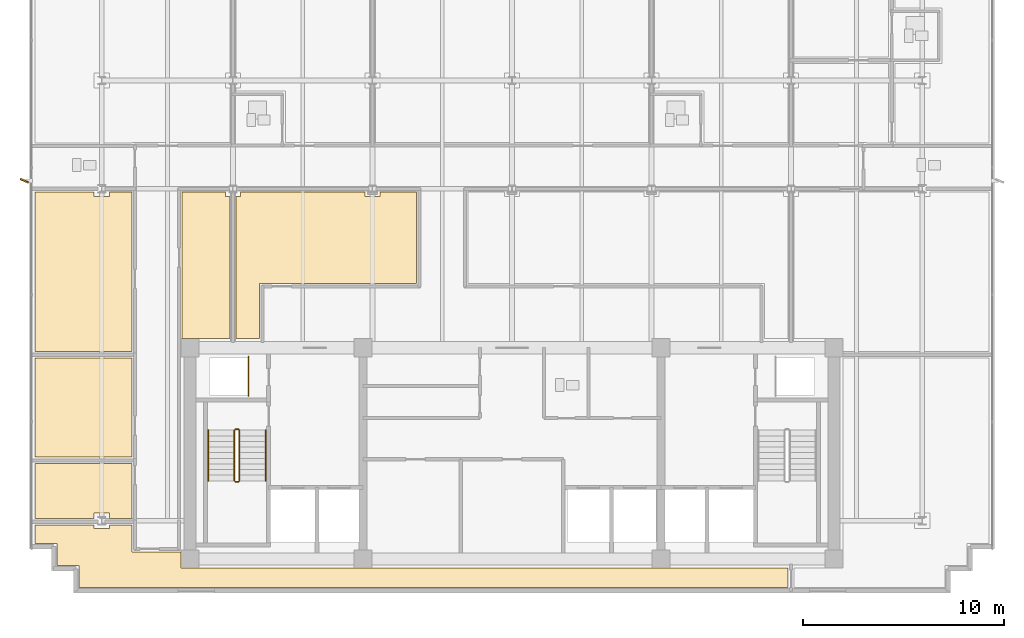
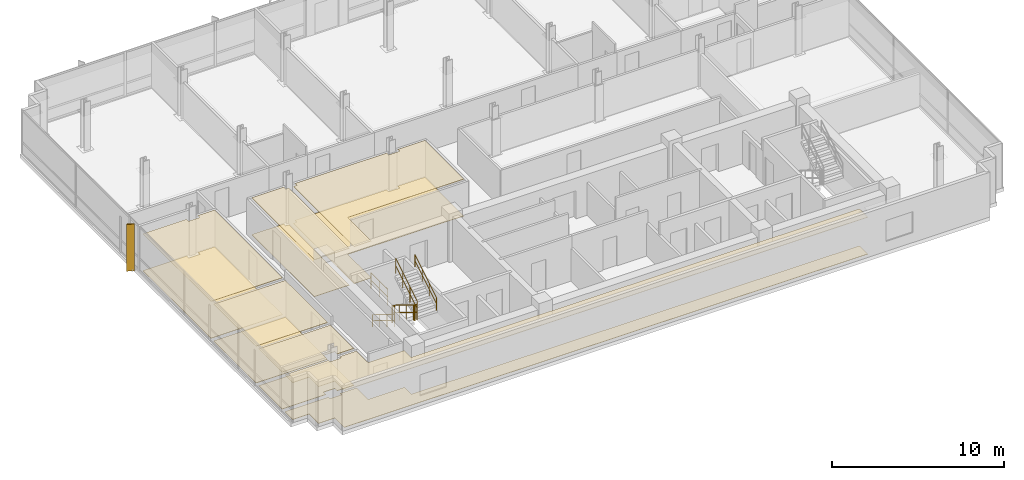
# One storey, part 15 of 19: 12 coverings, 7 railings, 1 shading device.
"""IFC4 building model written with IfcOpenShell, lengths in metres."""

from ifc_helpers import new_model, si_unit, direction, frame, origin, origin_2d, place, context, subcontext, project, spatial, polyline, rectangle, circle, outline, extrude, material, layer, layer_set, type_object, element, save


model = new_model("IFC4")

# Units and contexts
model_context = context("Model", 3, precision=1e-05, world=origin(), true_north=direction((0.0, 1.0)))
body_context = subcontext(model_context, "Body", "Model", "MODEL_VIEW")
ifc_project = project(units=[si_unit("LENGTHUNIT", "METRE"), si_unit("AREAUNIT", "SQUARE_METRE"), si_unit("VOLUMEUNIT", "CUBIC_METRE"), si_unit("PLANEANGLEUNIT", "RADIAN"), si_unit("MASSUNIT", "GRAM", prefix="KILO")], contexts=[model_context])

# Site, building, storey
site_placement = place(None, origin())
site = spatial("IfcSite", under=ifc_project, at=site_placement, CompositionType="ELEMENT")
building_placement = place(site_placement, origin())
building = spatial("IfcBuilding", under=site, at=building_placement, Name="Solmavex Isthmus Hotel", CompositionType="ELEMENT")
storey_placement = place(building_placement, frame((0.0, 0.0, 262.64990234375)))
storey = spatial("IfcBuildingStorey", under=building, at=storey_placement, Name="L71", CompositionType="ELEMENT", Elevation=262.64990234375)

# Coverings
ifc_material_1 = material(Name="Gypsum plasterboard lining", Category="gypsum")
ifc_layer_1 = layer(ifc_material_1, 0.030029296875)
ifc_layer_set_1 = layer_set([ifc_layer_1], Name="Gypsum plasterboard lining")
covering_type_1 = type_object("IfcCoveringType", Name="COV-CEIL-GYP", PredefinedType="CEILING", material=ifc_layer_set_1)
covering_1_placement = place(storey_placement, frame((0.0, 0.0, 2.6201171875)))
element("IfcCovering", 1, at=covering_1_placement, inside=storey, type_object=covering_type_1, Name="Suspended Acoustic Ceiling L71-FL08", PredefinedType="CEILING", context=body_context, shape_type="SweptSolid", body=[
    extrude(outline(polyline([(-20.780029296875, -10.9951171875), (-20.780029296875, -10.719970703125), (-20.02001953125, -10.719970703125), (-20.02001953125, -10.9951171875), (-18.905029296875, -10.9951171875), (-18.905029296875, -8.2548828125), (-23.72509765625, -8.2548828125), (-23.72509765625, -10.9951171875), (-20.780029296875, -10.9951171875)])), origin(), (0.0, 0.0, 1.0), 0.030029296875),
])
covering_2_placement = place(storey_placement, frame((0.0, 0.0, 2.6201171875)))
element("IfcCovering", 2, at=covering_2_placement, inside=storey, type_object=covering_type_1, Name="Suspended Acoustic Ceiling L71-FL09", PredefinedType="CEILING", context=body_context, shape_type="SweptSolid", body=[
    extrude(outline(polyline([(-16.39501953125, -2.044921875), (-14.027099609375, -2.044921875), (-14.027099609375, 5.02001953125), (-14.251953125, 5.02001953125), (-14.251953125, 5.2451171875), (-16.39501953125, 5.2451171875), (-16.39501953125, -2.044921875)])), origin(), (0.0, 0.0, 1.0), 0.030029296875),
])
covering_3_placement = place(storey_placement, frame((0.0, 0.0, 2.6201171875)))
element("IfcCovering", 3, at=covering_3_placement, inside=storey, type_object=covering_type_1, Name="Suspended Acoustic Ceiling L71-FL10", PredefinedType="CEILING", context=body_context, shape_type="SweptSolid", body=[
    extrude(outline(polyline([(-23.72509765625, -7.945068359375), (-18.905029296875, -7.945068359375), (-18.905029296875, -3.0048828125), (-23.72509765625, -3.0048828125), (-23.72509765625, -7.945068359375)])), origin(), (0.0, 0.0, 1.0), 0.030029296875),
])
covering_4_placement = place(storey_placement, frame((0.0, 0.0, 2.6201171875)))
element("IfcCovering", 4, at=covering_4_placement, inside=storey, type_object=covering_type_1, Name="Suspended Acoustic Ceiling L71-FL11", PredefinedType="CEILING", context=body_context, shape_type="SweptSolid", body=[
    extrude(outline(polyline([(-20.02001953125, 5.2451171875), (-20.02001953125, 5.02001953125), (-20.780029296875, 5.02001953125), (-20.780029296875, 5.2451171875), (-23.72509765625, 5.2451171875), (-23.72509765625, -2.695068359375), (-18.905029296875, -2.695068359375), (-18.905029296875, 5.2451171875), (-20.02001953125, 5.2451171875)])), origin(), (0.0, 0.0, 1.0), 0.030029296875),
])
covering_5_placement = place(storey_placement, frame((0.0, 0.0, 2.6201171875)))
element("IfcCovering", 5, at=covering_5_placement, inside=storey, type_object=covering_type_1, Name="Suspended Acoustic Ceiling L71-FL12", PredefinedType="CEILING", context=body_context, shape_type="SweptSolid", body=[
    extrude(outline(polyline([(-6.555908203125, 5.2451171875), (-6.555908203125, 5.02001953125), (-7.31591796875, 5.02001953125), (-7.31591796875, 5.2451171875), (-13.491943359375, 5.2451171875), (-13.491943359375, 5.02001953125), (-13.717041015625, 5.02001953125), (-13.717041015625, -2.044921875), (-12.554931640625, -2.044921875), (-12.554931640625, 0.705078125), (-4.742919921875, 0.705078125), (-4.742919921875, 5.2451171875), (-6.555908203125, 5.2451171875)])), origin(), (0.0, 0.0, 1.0), 0.030029296875),
])
covering_6_placement = place(storey_placement, frame((0.0, 0.0, 2.6201171875)))
element("IfcCovering", 6, at=covering_6_placement, inside=storey, type_object=covering_type_1, Name="Suspended Acoustic Ceiling L71-FL13", PredefinedType="CEILING", context=body_context, shape_type="SweptSolid", body=[
    extrude(outline(polyline([(-20.02001953125, -11.304931640625), (-20.02001953125, -11.47998046875), (-20.780029296875, -11.47998046875), (-20.780029296875, -11.304931640625), (-23.72509765625, -11.304931640625), (-23.72509765625, -12.22509765625), (-22.625, -12.22509765625), (-22.625, -13.324951171875), (-21.52490234375, -13.324951171875), (-21.52490234375, -14.425048828125), (13.717041015625, -14.425048828125), (13.717041015625, -13.455078125), (-16.455078125, -13.455078125), (-16.455078125, -12.655029296875), (-18.905029296875, -12.655029296875), (-18.905029296875, -11.304931640625), (-20.02001953125, -11.304931640625)])), origin(), (0.0, 0.0, 1.0), 0.030029296875),
])
ifc_material_2 = material(Name="Travertine natural stone", Category="masonry")
ifc_layer_2 = layer(ifc_material_2, 0.02490234375)
ifc_layer_set_2 = layer_set([ifc_layer_2], Name="Travertine natural stone")
covering_type_2 = type_object("IfcCoveringType", Name="COV-FLOR-STN", PredefinedType="FLOORING", material=ifc_layer_set_2)
covering_7_placement = place(storey_placement, origin())
element("IfcCovering", 7, at=covering_7_placement, inside=storey, type_object=covering_type_2, Name="Stone and Timber Floor Finish L71-FL08", PredefinedType="FLOORING", context=body_context, shape_type="SweptSolid", body=[
    extrude(outline(polyline([(-20.780029296875, -10.9951171875), (-20.780029296875, -10.719970703125), (-20.02001953125, -10.719970703125), (-20.02001953125, -10.9951171875), (-18.905029296875, -10.9951171875), (-18.905029296875, -8.2548828125), (-23.72509765625, -8.2548828125), (-23.72509765625, -10.9951171875), (-20.780029296875, -10.9951171875)])), origin(), (0.0, 0.0, 1.0), 0.025146484375),
])
covering_8_placement = place(storey_placement, origin())
element("IfcCovering", 8, at=covering_8_placement, inside=storey, type_object=covering_type_2, Name="Stone and Timber Floor Finish L71-FL09", PredefinedType="FLOORING", context=body_context, shape_type="SweptSolid", body=[
    extrude(outline(polyline([(-16.39501953125, -2.044921875), (-14.027099609375, -2.044921875), (-14.027099609375, 5.02001953125), (-14.251953125, 5.02001953125), (-14.251953125, 5.2451171875), (-16.39501953125, 5.2451171875), (-16.39501953125, -2.044921875)])), origin(), (0.0, 0.0, 1.0), 0.025146484375),
])
covering_9_placement = place(storey_placement, origin())
element("IfcCovering", 9, at=covering_9_placement, inside=storey, type_object=covering_type_2, Name="Stone and Timber Floor Finish L71-FL10", PredefinedType="FLOORING", context=body_context, shape_type="SweptSolid", body=[
    extrude(outline(polyline([(-23.72509765625, -7.945068359375), (-18.905029296875, -7.945068359375), (-18.905029296875, -3.0048828125), (-23.72509765625, -3.0048828125), (-23.72509765625, -7.945068359375)])), origin(), (0.0, 0.0, 1.0), 0.025146484375),
])
covering_10_placement = place(storey_placement, origin())
element("IfcCovering", 10, at=covering_10_placement, inside=storey, type_object=covering_type_2, Name="Stone and Timber Floor Finish L71-FL11", PredefinedType="FLOORING", context=body_context, shape_type="SweptSolid", body=[
    extrude(outline(polyline([(-20.02001953125, 5.2451171875), (-20.02001953125, 5.02001953125), (-20.780029296875, 5.02001953125), (-20.780029296875, 5.2451171875), (-23.72509765625, 5.2451171875), (-23.72509765625, -2.695068359375), (-18.905029296875, -2.695068359375), (-18.905029296875, 5.2451171875), (-20.02001953125, 5.2451171875)])), origin(), (0.0, 0.0, 1.0), 0.025146484375),
])
covering_11_placement = place(storey_placement, origin())
element("IfcCovering", 11, at=covering_11_placement, inside=storey, type_object=covering_type_2, Name="Stone and Timber Floor Finish L71-FL12", PredefinedType="FLOORING", context=body_context, shape_type="SweptSolid", body=[
    extrude(outline(polyline([(-6.555908203125, 5.2451171875), (-6.555908203125, 5.02001953125), (-7.31591796875, 5.02001953125), (-7.31591796875, 5.2451171875), (-13.491943359375, 5.2451171875), (-13.491943359375, 5.02001953125), (-13.717041015625, 5.02001953125), (-13.717041015625, -2.044921875), (-12.554931640625, -2.044921875), (-12.554931640625, 0.705078125), (-4.742919921875, 0.705078125), (-4.742919921875, 5.2451171875), (-6.555908203125, 5.2451171875)])), origin(), (0.0, 0.0, 1.0), 0.025146484375),
])
covering_12_placement = place(storey_placement, origin())
element("IfcCovering", 12, at=covering_12_placement, inside=storey, type_object=covering_type_2, Name="Stone and Timber Floor Finish L71-FL13", PredefinedType="FLOORING", context=body_context, shape_type="SweptSolid", body=[
    extrude(outline(polyline([(-20.02001953125, -11.304931640625), (-20.02001953125, -11.47998046875), (-20.780029296875, -11.47998046875), (-20.780029296875, -11.304931640625), (-23.72509765625, -11.304931640625), (-23.72509765625, -12.22509765625), (-22.625, -12.22509765625), (-22.625, -13.324951171875), (-21.52490234375, -13.324951171875), (-21.52490234375, -14.425048828125), (13.717041015625, -14.425048828125), (13.717041015625, -13.455078125), (-16.455078125, -13.455078125), (-16.455078125, -12.655029296875), (-18.905029296875, -12.655029296875), (-18.905029296875, -11.304931640625), (-20.02001953125, -11.304931640625)])), origin(), (0.0, 0.0, 1.0), 0.025146484375),
])

# Railings
ifc_material_3 = material(Name="Clear low-E laminated glass", Category="glass")
ifc_layer_3 = layer(ifc_material_3, 0.080078125)
ifc_layer_set_3 = layer_set([ifc_layer_3], Name="Clear low-E laminated glass")
railing_type_1 = type_object("IfcRailingType", Name="RAIL-ATRIUM-1120", PredefinedType="BALUSTRADE", material=ifc_layer_set_3)
railing_1_placement = place(storey_placement, frame((-13.10009765625, -4.89990234375, 0.0)))
element("IfcRailing", 13, at=railing_1_placement, inside=storey, type_object=railing_type_1, Name="Guardrail Balustrade L71-RSW-01", PredefinedType="BALUSTRADE", context=body_context, shape_type="SweptSolid", body=[
    extrude(circle(Radius=0.02392578125, at=origin_2d()), frame((0.0, 0.0, 1.1259765625), z_axis=(0.0, 1.0, 0.0), x_axis=(-1.0, 0.0, 0.0)), (0.0, 0.0, 1.0), 1.949951171875),
    extrude(circle(Radius=0.02392578125, at=origin_2d()), frame((0.0, 0.0, 0.574951171875), z_axis=(0.0, 1.0, 0.0), x_axis=(-1.0, 0.0, 0.0)), (0.0, 0.0, 1.0), 1.949951171875),
    extrude(circle(Radius=0.02099609375, at=origin_2d()), origin(), (0.0, 0.0, 1.0), 1.101806640625),
    extrude(circle(Radius=0.02099609375, at=origin_2d()), frame((0.0, 0.97509765625, 0.0)), (0.0, 0.0, 1.0), 1.101806640625),
    extrude(circle(Radius=0.02099609375, at=origin_2d()), frame((0.0, 1.949951171875, 0.0)), (0.0, 0.0, 1.0), 1.101806640625),
])
ifc_material_4 = material(Name="Stainless steel 316", Category="steel")
ifc_layer_4 = layer(ifc_material_4, 0.06005859375)
ifc_layer_set_4 = layer_set([ifc_layer_4], Name="Stainless steel 316")
railing_type_2 = type_object("IfcRailingType", Name="RAIL-STAIR-GD", PredefinedType="GUARDRAIL", material=ifc_layer_set_4)
railing_2_placement = place(storey_placement, frame((-13.800048828125, -6.60009765625, 0.172607421875)))
element("IfcRailing", 14, at=railing_2_placement, inside=storey, type_object=railing_type_2, Name="L71 ST-1 stair guard 1", PredefinedType="GUARDRAIL", context=body_context, shape_type="SweptSolid", body=[
    extrude(circle(Radius=0.02392578125, at=origin_2d()), frame((0.0, 0.0, 1.09619140625), z_axis=(0.0, -0.851400495292, 0.524516154772), x_axis=(1.0, 0.0, 0.0)), (0.0, 0.0, 1.0), 2.9599609375),
    extrude(circle(Radius=0.02392578125, at=origin_2d()), frame((0.0, 0.0, 0.56005859375), z_axis=(0.0, -0.851400495292, 0.524516154772), x_axis=(1.0, 0.0, 0.0)), (0.0, 0.0, 1.0), 2.9599609375),
    extrude(circle(Radius=0.02099609375, at=origin_2d()), origin(), (0.0, 0.0, 1.0), 1.072021484375),
    extrude(circle(Radius=0.02099609375, at=origin_2d()), frame((0.0, -0.840087890625, 0.517578125)), (0.0, 0.0, 1.0), 1.072021484375),
    extrude(circle(Radius=0.02099609375, at=origin_2d()), frame((0.0, -1.679931640625, 1.034912109375)), (0.0, 0.0, 1.0), 1.072021484375),
    extrude(circle(Radius=0.02099609375, at=origin_2d()), frame((0.0, -2.52001953125, 1.552490234375)), (0.0, 0.0, 1.0), 1.072021484375),
])
railing_3_placement = place(storey_placement, frame((-13.75, -9.169921875, 1.72509765625)))
element("IfcRailing", 15, at=railing_3_placement, inside=storey, type_object=railing_type_2, Name="L71 ST-1 stair guard 2", PredefinedType="GUARDRAIL", context=body_context, shape_type="SweptSolid", body=[
    extrude(circle(Radius=0.02392578125, at=origin_2d()), frame((0.0, 0.0, 1.09619140625), z_axis=(1.0, 0.0, 0.0), x_axis=(0.0, 1.0, 0.0)), (0.0, 0.0, 1.0), 0.14990234375),
    extrude(circle(Radius=0.02392578125, at=origin_2d()), frame((0.0, 0.0, 0.56005859375), z_axis=(1.0, 0.0, 0.0), x_axis=(0.0, 1.0, 0.0)), (0.0, 0.0, 1.0), 0.14990234375),
    extrude(circle(Radius=0.02099609375, at=origin_2d()), origin(), (0.0, 0.0, 1.0), 1.072021484375),
    extrude(circle(Radius=0.02099609375, at=origin_2d()), frame((0.14990234375, 0.0, 0.0)), (0.0, 0.0, 1.0), 1.072021484375),
])
railing_4_placement = place(storey_placement, frame((-13.550048828125, -9.1201171875, 1.897705078125)))
element("IfcRailing", 16, at=railing_4_placement, inside=storey, type_object=railing_type_2, Name="L71 ST-1 stair guard 3", PredefinedType="GUARDRAIL", context=body_context, shape_type="SweptSolid", body=[
    extrude(circle(Radius=0.02392578125, at=origin_2d()), frame((0.0, 0.0, 1.09619140625), z_axis=(0.0, 0.851400495292, 0.524516154772), x_axis=(-1.0, 0.0, 0.0)), (0.0, 0.0, 1.0), 2.9599609375),
    extrude(circle(Radius=0.02392578125, at=origin_2d()), frame((0.0, 0.0, 0.56005859375), z_axis=(0.0, 0.851400495292, 0.524516154772), x_axis=(-1.0, 0.0, 0.0)), (0.0, 0.0, 1.0), 2.9599609375),
    extrude(circle(Radius=0.02099609375, at=origin_2d()), origin(), (0.0, 0.0, 1.0), 1.072021484375),
    extrude(circle(Radius=0.02099609375, at=origin_2d()), frame((0.0, 0.840087890625, 0.517578125)), (0.0, 0.0, 1.0), 1.072021484375),
    extrude(circle(Radius=0.02099609375, at=origin_2d()), frame((0.0, 1.679931640625, 1.034912109375)), (0.0, 0.0, 1.0), 1.072021484375),
    extrude(circle(Radius=0.02099609375, at=origin_2d()), frame((0.0, 2.52001953125, 1.552490234375)), (0.0, 0.0, 1.0), 1.072021484375),
])
railing_5_placement = place(storey_placement, frame((-13.75, -6.550048828125, 0.0)))
element("IfcRailing", 17, at=railing_5_placement, inside=storey, type_object=railing_type_2, Name="L71 ST-1 stair guard 4", PredefinedType="GUARDRAIL", context=body_context, shape_type="SweptSolid", body=[
    extrude(circle(Radius=0.02392578125, at=origin_2d()), frame((0.0, 0.0, 1.09619140625), z_axis=(1.0, 0.0, 0.0), x_axis=(0.0, 1.0, 0.0)), (0.0, 0.0, 1.0), 0.14990234375),
    extrude(circle(Radius=0.02392578125, at=origin_2d()), frame((0.0, 0.0, 0.56005859375), z_axis=(1.0, 0.0, 0.0), x_axis=(0.0, 1.0, 0.0)), (0.0, 0.0, 1.0), 0.14990234375),
    extrude(circle(Radius=0.02099609375, at=origin_2d()), origin(), (0.0, 0.0, 1.0), 1.072021484375),
    extrude(circle(Radius=0.02099609375, at=origin_2d()), frame((0.14990234375, 0.0, 0.0)), (0.0, 0.0, 1.0), 1.072021484375),
])
ifc_layer_5 = layer(ifc_material_4, 0.050048828125)
ifc_layer_set_5 = layer_set([ifc_layer_5], Name="Stainless steel 316")
railing_type_3 = type_object("IfcRailingType", Name="RAIL-STAIR-HR", PredefinedType="HANDRAIL", material=ifc_layer_set_5)
railing_6_placement = place(storey_placement, frame((-15.10009765625, -6.60009765625, 0.172607421875)))
element("IfcRailing", 18, at=railing_6_placement, inside=storey, type_object=railing_type_3, Name="L71 ST-1 stair handrail 1", PredefinedType="HANDRAIL", context=body_context, shape_type="SweptSolid", body=[
    extrude(circle(Radius=0.02392578125, at=origin_2d()), frame((0.0, 0.0, 0.8759765625), z_axis=(0.0, -0.851400495292, 0.524516154772), x_axis=(1.0, 0.0, 0.0)), (0.0, 0.0, 1.0), 2.9599609375),
    extrude(circle(Radius=0.02392578125, at=origin_2d()), frame((0.0, 0.0, 0.449951171875), z_axis=(0.0, -0.851400495292, 0.524516154772), x_axis=(1.0, 0.0, 0.0)), (0.0, 0.0, 1.0), 2.9599609375),
    extrude(circle(Radius=0.02099609375, at=origin_2d()), origin(), (0.0, 0.0, 1.0), 0.851806640625),
    extrude(circle(Radius=0.02099609375, at=origin_2d()), frame((0.0, -0.840087890625, 0.517578125)), (0.0, 0.0, 1.0), 0.851806640625),
    extrude(circle(Radius=0.02099609375, at=origin_2d()), frame((0.0, -1.679931640625, 1.034912109375)), (0.0, 0.0, 1.0), 0.851806640625),
    extrude(circle(Radius=0.02099609375, at=origin_2d()), frame((0.0, -2.52001953125, 1.552490234375)), (0.0, 0.0, 1.0), 0.851806640625),
])
railing_7_placement = place(storey_placement, frame((-12.25, -9.1201171875, 1.897705078125)))
element("IfcRailing", 19, at=railing_7_placement, inside=storey, type_object=railing_type_3, Name="L71 ST-1 stair handrail 2", PredefinedType="HANDRAIL", context=body_context, shape_type="SweptSolid", body=[
    extrude(circle(Radius=0.02392578125, at=origin_2d()), frame((0.0, 0.0, 0.8759765625), z_axis=(0.0, 0.851400495292, 0.524516154772), x_axis=(-1.0, 0.0, 0.0)), (0.0, 0.0, 1.0), 2.9599609375),
    extrude(circle(Radius=0.02392578125, at=origin_2d()), frame((0.0, 0.0, 0.449951171875), z_axis=(0.0, 0.851400495292, 0.524516154772), x_axis=(-1.0, 0.0, 0.0)), (0.0, 0.0, 1.0), 2.9599609375),
    extrude(circle(Radius=0.02099609375, at=origin_2d()), origin(), (0.0, 0.0, 1.0), 0.851806640625),
    extrude(circle(Radius=0.02099609375, at=origin_2d()), frame((0.0, 0.840087890625, 0.517578125)), (0.0, 0.0, 1.0), 0.851806640625),
    extrude(circle(Radius=0.02099609375, at=origin_2d()), frame((0.0, 1.679931640625, 1.034912109375)), (0.0, 0.0, 1.0), 0.851806640625),
    extrude(circle(Radius=0.02099609375, at=origin_2d()), frame((0.0, 2.52001953125, 1.552490234375)), (0.0, 0.0, 1.0), 0.851806640625),
])

# Shading device
ifc_material_5 = material(Name="Aluminium alloy 6063-T6", Category="aluminium")
shading_device_type = type_object("IfcShadingDeviceType", Name="SHD-FIN-BRONZE", PredefinedType="USERDEFINED", material=ifc_material_5)
shading_device_placement = place(storey_placement, frame((-24.239990234375, 5.800048828125, -0.139892578125), z_axis=(0.0, 0.0, 1.0), x_axis=(-0.913545457643, 0.406736643076, 0.0)))
element("IfcShadingDevice", 20, at=shading_device_placement, inside=storey, type_object=shading_device_type, Name="Anodised Aluminium Solar Fin L71-W1", ObjectType="SOLAR_FIN", PredefinedType="USERDEFINED", context=body_context, shape_type="SweptSolid", body=[
    extrude(rectangle(XDim=0.449951171875, YDim=0.080078125, at=origin_2d()), origin(), (0.0, 0.0, 1.0), 3.330078125),
])

save(model, "model.ifc")
